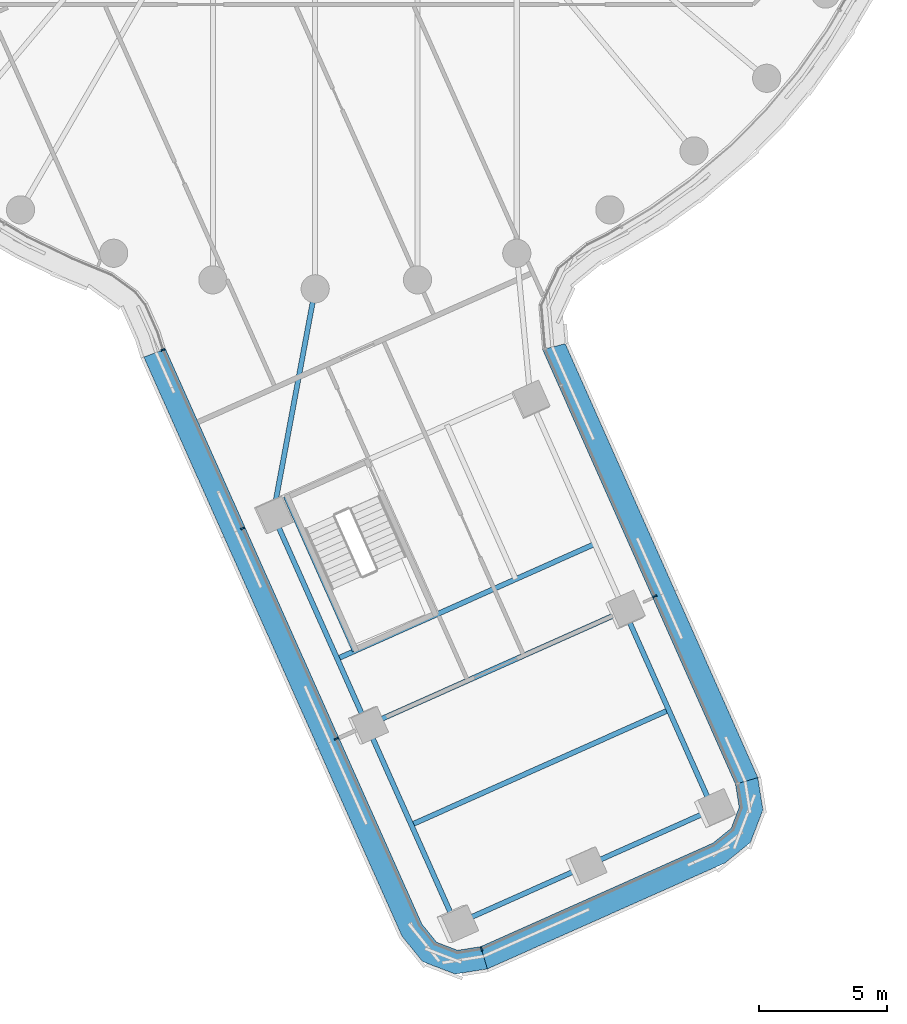
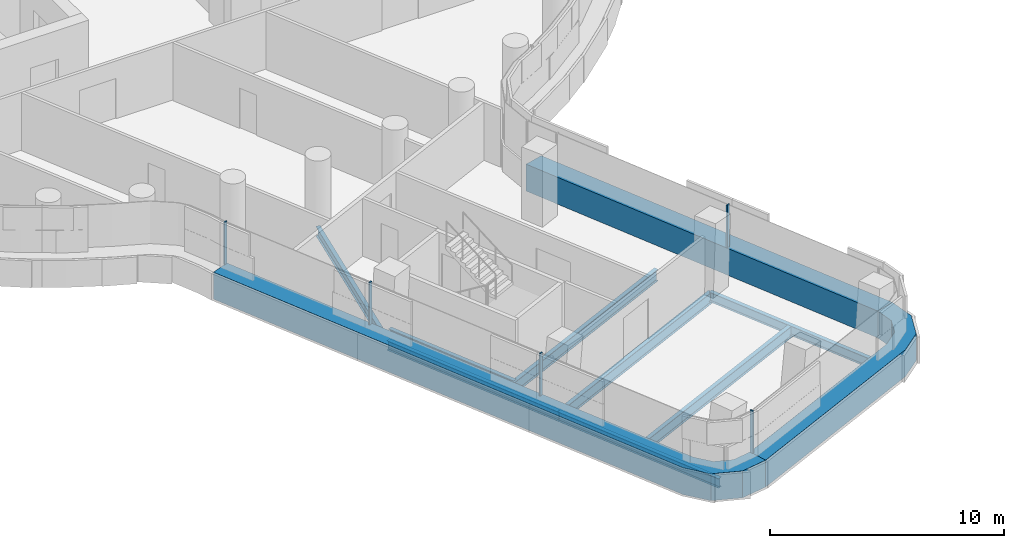
# One storey, part 2 of 35: 10 beams, 8 members, 3 elements without a shape of their own.
"""IFC4 building model written with IfcOpenShell, lengths in metres."""

from ifc_helpers import new_model, si_unit, direction, frame, origin, origin_2d, place, context, subcontext, project, spatial, polyline, rectangle, i_section, outline, extrude, material, layer, layer_set, material_profile, profile_set, type_object, element, aggregate, save


model = new_model("IFC4")

# Units and contexts
model_context = context("Model", 3, precision=1e-05, world=origin(), true_north=direction((0.0, 1.0)))
body_context = subcontext(model_context, "Body", "Model", "MODEL_VIEW")
ifc_project = project(units=[si_unit("LENGTHUNIT", "METRE"), si_unit("AREAUNIT", "SQUARE_METRE"), si_unit("VOLUMEUNIT", "CUBIC_METRE"), si_unit("PLANEANGLEUNIT", "RADIAN"), si_unit("MASSUNIT", "GRAM", prefix="KILO")], contexts=[model_context])

# Site, building, storey
site_placement = place(None, origin())
site = spatial("IfcSite", under=ifc_project, at=site_placement, CompositionType="ELEMENT")
building_placement = place(site_placement, origin())
building = spatial("IfcBuilding", under=site, at=building_placement, Name="Tamarind Cross Interchange Tower", CompositionType="ELEMENT")
storey_placement = place(building_placement, frame((0.0, 0.0, 121.0)))
storey = spatial("IfcBuildingStorey", under=building, at=storey_placement, Name="L29", CompositionType="ELEMENT", Elevation=121.0)

# Beams
ifc_material_1 = material(Name="Steel Q355B", Category="steel")
ifc_material_profile_1 = material_profile(ifc_material_1, i_section(OverallWidth=0.198974609375, OverallDepth=0.49609375, WebThickness=0.009033203125, FlangeThickness=0.013916015625, FilletRadius=0.012939453125, at=origin_2d()), Name="HN 496x199x9x14")
ifc_profile_set_1 = profile_set([ifc_material_profile_1], Name="Steel Q355B")
beam_type_1 = type_object("IfcBeamType", Name="Composite beam HN 496x199x9x14 Q355B", PredefinedType="BEAM", material=ifc_profile_set_1)
beam_1_placement = place(storey_placement, frame((5.4794921875, -47.7958984375, -0.387939453125), z_axis=(-0.407202576007, 0.913337868531, 0.0), x_axis=(-0.913337868531, -0.407202576007, 0.0)))
element("IfcBeam", 1, at=beam_1_placement, inside=storey, type_object=beam_type_1, Name="Beam S-edgeem5", PredefinedType="BEAM", context=body_context, shape_type="SweptSolid", body=[
    extrude(i_section(OverallWidth=0.198974609375, OverallDepth=0.49609375, WebThickness=0.009033203125, FlangeThickness=0.013916015625, FilletRadius=0.012939453125, at=origin_2d()), origin(), (0.0, 0.0, 1.0), 8.491455078125),
])
beam_2_placement = place(storey_placement, frame((2.021728515625, -40.040283203125, -0.387939453125), z_axis=(-0.407225482374, 0.913327655612, 0.0), x_axis=(-0.913327655612, -0.407225482374, 0.0)))
element("IfcBeam", 2, at=beam_2_placement, inside=storey, type_object=beam_type_1, Name="Beam S-edgeem6", PredefinedType="BEAM", context=body_context, shape_type="SweptSolid", body=[
    extrude(i_section(OverallWidth=0.198974609375, OverallDepth=0.49609375, WebThickness=0.009033203125, FlangeThickness=0.013916015625, FilletRadius=0.012939453125, at=origin_2d()), origin(), (0.0, 0.0, 1.0), 9.0),
])
beam_3_placement = place(storey_placement, frame((15.526123046875, -43.31640625, -0.387939453125), z_axis=(-0.407202576007, 0.913337868531, 0.0), x_axis=(-0.913337868531, -0.407202576007, 0.0)))
element("IfcBeam", 3, at=beam_3_placement, inside=storey, type_object=beam_type_1, Name="Beam S-edgeep2", PredefinedType="BEAM", context=body_context, shape_type="SweptSolid", body=[
    extrude(i_section(OverallWidth=0.198974609375, OverallDepth=0.49609375, WebThickness=0.009033203125, FlangeThickness=0.013916015625, FilletRadius=0.012939453125, at=origin_2d()), origin(), (0.0, 0.0, 1.0), 8.491455078125),
])
beam_4_placement = place(storey_placement, frame((-1.643310546875, -31.8203125, -0.387939453125), z_axis=(0.183158073373, 0.983083475682, 0.0), x_axis=(-0.983083475682, 0.183158073373, 0.0)))
element("IfcBeam", 4, at=beam_4_placement, inside=storey, type_object=beam_type_1, Name="Beam S-linkem", PredefinedType="BEAM", context=body_context, shape_type="SweptSolid", body=[
    extrude(i_section(OverallWidth=0.198974609375, OverallDepth=0.49609375, WebThickness=0.009033203125, FlangeThickness=0.013916015625, FilletRadius=0.012939453125, at=origin_2d()), origin(), (0.0, 0.0, 1.0), 8.97216796875),
])
beam_5_placement = place(storey_placement, frame((-1.1416015625, -31.10400390625, -0.387939453125), z_axis=(0.407239908717, -0.9133212232, 0.0), x_axis=(0.9133212232, 0.407239908717, 0.0)))
element("IfcBeam", 5, at=beam_5_placement, inside=storey, type_object=beam_type_1, Name="Beam S-tr0", PredefinedType="BEAM", context=body_context, shape_type="SweptSolid", body=[
    extrude(i_section(OverallWidth=0.198974609375, OverallDepth=0.49609375, WebThickness=0.009033203125, FlangeThickness=0.013916015625, FilletRadius=0.012939453125, at=origin_2d()), origin(), (0.0, 0.0, 1.0), 6.599853515625),
])
ifc_material_profile_2 = material_profile(ifc_material_1, i_section(OverallWidth=0.199951171875, OverallDepth=0.60009765625, WebThickness=0.010986328125, FlangeThickness=0.01708984375, FilletRadius=0.012939453125, at=origin_2d()), Name="HN 600x200x11x17")
ifc_profile_set_2 = profile_set([ifc_material_profile_2], Name="Steel Q355B")
beam_type_2 = type_object("IfcBeamType", Name="Composite beam HN 600x200x11x17 Q355B", PredefinedType="BEAM", material=ifc_profile_set_2)
beam_6_placement = place(storey_placement, frame((5.4794921875, -47.7958984375, -0.43994140625), z_axis=(0.913331336079, 0.407217227701, 0.0), x_axis=(-0.407217227701, 0.913331336079, 0.0)))
element("IfcBeam", 6, at=beam_6_placement, inside=storey, type_object=beam_type_2, Name="Beam S-tip0", PredefinedType="BEAM", context=body_context, shape_type="SweptSolid", body=[
    extrude(i_section(OverallWidth=0.199951171875, OverallDepth=0.60009765625, WebThickness=0.010986328125, FlangeThickness=0.01708984375, FilletRadius=0.012939453125, at=origin_2d()), origin(), (0.0, 0.0, 1.0), 5.500244140625),
])
beam_7_placement = place(storey_placement, frame((10.5029296875, -45.55615234375, -0.43994140625), z_axis=(0.913323974921, 0.407233737348, 0.0), x_axis=(-0.407233737348, 0.913323974921, 0.0)))
element("IfcBeam", 7, at=beam_7_placement, inside=storey, type_object=beam_type_2, Name="Beam S-tip1", PredefinedType="BEAM", context=body_context, shape_type="SweptSolid", body=[
    extrude(i_section(OverallWidth=0.199951171875, OverallDepth=0.60009765625, WebThickness=0.010986328125, FlangeThickness=0.01708984375, FilletRadius=0.012939453125, at=origin_2d()), origin(), (0.0, 0.0, 1.0), 5.5),
])
for number, where, z_axis, x_axis, name in (
    (8, (0.861083984375, -37.437255859375, -0.43994140625), (0.913335910322, 0.407206968158, 0.0), (-0.407206968158, 0.913335910322, 0.0), "Beam S-x364"),
    (9, (2.021728515625, -40.040283203125, -0.43994140625), (0.913327655612, 0.407225482374, 0.0), (-0.407225482374, 0.913327655612, 0.0), "Beam S-x393"),
    (10, (3.75048828125, -43.91796875, -0.43994140625), (0.913335910322, 0.407206968158, 0.0), (-0.407206968158, 0.913335910322, 0.0), "Beam S-x435"),
):
    element("IfcBeam", number, at=place(storey_placement, frame(where, z_axis=z_axis, x_axis=x_axis)), inside=storey, type_object=beam_type_2, Name=name, PredefinedType="BEAM", context=body_context, shape_type="SweptSolid", body=[
        extrude(i_section(OverallWidth=0.199951171875, OverallDepth=0.60009765625, WebThickness=0.010986328125, FlangeThickness=0.01708984375, FilletRadius=0.012939453125, at=origin_2d()), origin(), (0.0, 0.0, 1.0), 11.0),
    ])

# Curtain wall, member
ifc_material_2 = material(Name="Aluminium 6063-T6", Category="aluminium")
ifc_layer = layer(ifc_material_2, 0.159912109375)
ifc_layer_set = layer_set([ifc_layer], Name="Aluminium 6063-T6")
curtain_wall_type = type_object("IfcCurtainWallType", Name="Office curtain wall, 9.0 m bays", PredefinedType="NOTDEFINED", material=ifc_layer_set)
curtain_wall_1_placement = place(storey_placement, origin())
curtain_wall_1 = element("IfcCurtainWall", 11, at=curtain_wall_1_placement, inside=storey, type_object=curtain_wall_type, Name="CWS-L29-03", PredefinedType="NOTDEFINED")
ifc_material_3 = material(Name="Aluminium and insulated spandrel panel", Category="aluminium")
member_type_1 = type_object("IfcMemberType", Name="Floor-edge blade transom", PredefinedType="USERDEFINED", material=ifc_material_3)
member_1_placement = place(storey_placement, origin())
member_1 = element("IfcMember", 12, at=member_1_placement, type_object=member_type_1, Name="CWT-L29-03", ObjectType="TRANSOM", PredefinedType="USERDEFINED", context=body_context, shape_type="SweptSolid", body=[
    extrude(outline(polyline([(-5.843994140625, -25.34619140625), (4.163818359375, -47.791748046875), (4.740234375, -48.5029296875), (5.556884765625, -48.81591796875), (6.4609375, -48.672119140625), (6.71923828125, -49.54248046875), (5.4599609375, -49.742431640625), (4.193115234375, -49.257080078125), (3.39013671875, -48.2666015625), (-6.68798828125, -25.6630859375), (-5.843994140625, -25.34619140625)])), origin(), (0.0, 0.0, 1.0), 1.39990234375),
])

curtain_wall_2_placement = place(storey_placement, origin())
curtain_wall_2 = element("IfcCurtainWall", 13, at=curtain_wall_2_placement, inside=storey, type_object=curtain_wall_type, Name="CWS-L29-04", PredefinedType="NOTDEFINED")
member_2_placement = place(storey_placement, origin())
member_2 = element("IfcMember", 14, at=member_2_placement, type_object=member_type_1, Name="CWT-L29-04", ObjectType="TRANSOM", PredefinedType="USERDEFINED", context=body_context, shape_type="SweptSolid", body=[
    extrude(outline(polyline([(6.4609375, -48.672119140625), (15.52197265625, -44.632080078125), (16.233154296875, -44.0556640625), (16.546142578125, -43.239013671875), (16.40234375, -42.334716796875), (17.272705078125, -42.0771484375), (17.472900390625, -43.3359375), (16.9873046875, -44.60302734375), (15.996826171875, -45.40576171875), (6.71923828125, -49.54248046875), (6.4609375, -48.672119140625)])), origin(), (0.0, 0.0, 1.0), 1.39990234375),
])

curtain_wall_3_placement = place(storey_placement, origin())
curtain_wall_3 = element("IfcCurtainWall", 15, at=curtain_wall_3_placement, inside=storey, type_object=curtain_wall_type, Name="CWS-L29-05", PredefinedType="NOTDEFINED")
member_3_placement = place(storey_placement, origin())
member_3 = element("IfcMember", 16, at=member_3_placement, type_object=member_type_1, Name="CWT-L29-05", ObjectType="TRANSOM", PredefinedType="USERDEFINED", context=body_context, shape_type="SweptSolid", body=[
    extrude(outline(polyline([(16.40234375, -42.334716796875), (8.8740234375, -25.369873046875), (9.7578125, -25.142822265625), (17.272705078125, -42.0771484375), (16.40234375, -42.334716796875)])), origin(), (0.0, 0.0, 1.0), 1.39990234375),
])

# Member
ifc_material_profile_3 = material_profile(ifc_material_2, rectangle(XDim=0.06005859375, YDim=0.159912109375, at=origin_2d()), Name="Mullion CW1")
ifc_profile_set_3 = profile_set([ifc_material_profile_3], Name="Aluminium 6063-T6")
member_type_2 = type_object("IfcMemberType", Name="Mullion CW1", PredefinedType="MULLION", material=ifc_profile_set_3)
member_4_placement = place(storey_placement, frame((-5.937744140625, -25.38134765625, 1.39990234375), z_axis=(0.0, 0.0, 1.0), x_axis=(0.35153390681, -0.936175150473, 0.0)))
member_4 = element("IfcMember", 17, at=member_4_placement, type_object=member_type_2, Name="CWM-L29-03-00", PredefinedType="MULLION", context=body_context, shape_type="SweptSolid", body=[
    extrude(rectangle(XDim=0.06005859375, YDim=0.159912109375, at=origin_2d()), origin(), (0.0, 0.0, 1.0), 2.210205078125),
])

member_5_placement = place(storey_placement, frame((-2.83056640625, -32.349853515625, 1.39990234375), z_axis=(0.0, 0.0, 1.0), x_axis=(0.407221294835, -0.913329522698, 0.0)))
member_5 = element("IfcMember", 18, at=member_5_placement, type_object=member_type_2, Name="CWM-L29-03-01", PredefinedType="MULLION", context=body_context, shape_type="SweptSolid", body=[
    extrude(rectangle(XDim=0.06005859375, YDim=0.159912109375, at=origin_2d()), origin(), (0.0, 0.0, 1.0), 2.210205078125),
])

member_6_placement = place(storey_placement, frame((0.82861328125, -40.556884765625, 1.39990234375), z_axis=(0.0, 0.0, 1.0), x_axis=(0.407221294835, -0.913329522698, 0.0)))
member_6 = element("IfcMember", 19, at=member_6_placement, type_object=member_type_2, Name="CWM-L29-03-02", PredefinedType="MULLION", context=body_context, shape_type="SweptSolid", body=[
    extrude(rectangle(XDim=0.06005859375, YDim=0.159912109375, at=origin_2d()), origin(), (0.0, 0.0, 1.0), 2.210205078125),
])

aggregate(curtain_wall_1, [member_4, member_5, member_6, member_1])

member_7_placement = place(storey_placement, frame((6.48974609375, -48.768798828125, 1.39990234375), z_axis=(0.0, 0.0, 1.0), x_axis=(0.958668907026, 0.284524035366, 0.0)))
member_7 = element("IfcMember", 20, at=member_7_placement, type_object=member_type_2, Name="CWM-L29-04-00", PredefinedType="MULLION", context=body_context, shape_type="SweptSolid", body=[
    extrude(rectangle(XDim=0.06005859375, YDim=0.159912109375, at=origin_2d()), origin(), (0.0, 0.0, 1.0), 2.210205078125),
])

aggregate(curtain_wall_2, [member_7, member_2])

member_8_placement = place(storey_placement, frame((13.25634765625, -34.998779296875, 1.39990234375), z_axis=(0.0, 0.0, 1.0), x_axis=(-0.40562364305, 0.914040185221, 0.0)))
member_8 = element("IfcMember", 21, at=member_8_placement, type_object=member_type_2, Name="CWM-L29-05-01", PredefinedType="MULLION", context=body_context, shape_type="SweptSolid", body=[
    extrude(rectangle(XDim=0.06005859375, YDim=0.159912109375, at=origin_2d()), origin(), (0.0, 0.0, 1.0), 2.210205078125),
])

aggregate(curtain_wall_3, [member_8, member_3])

save(model, "model.ifc")
